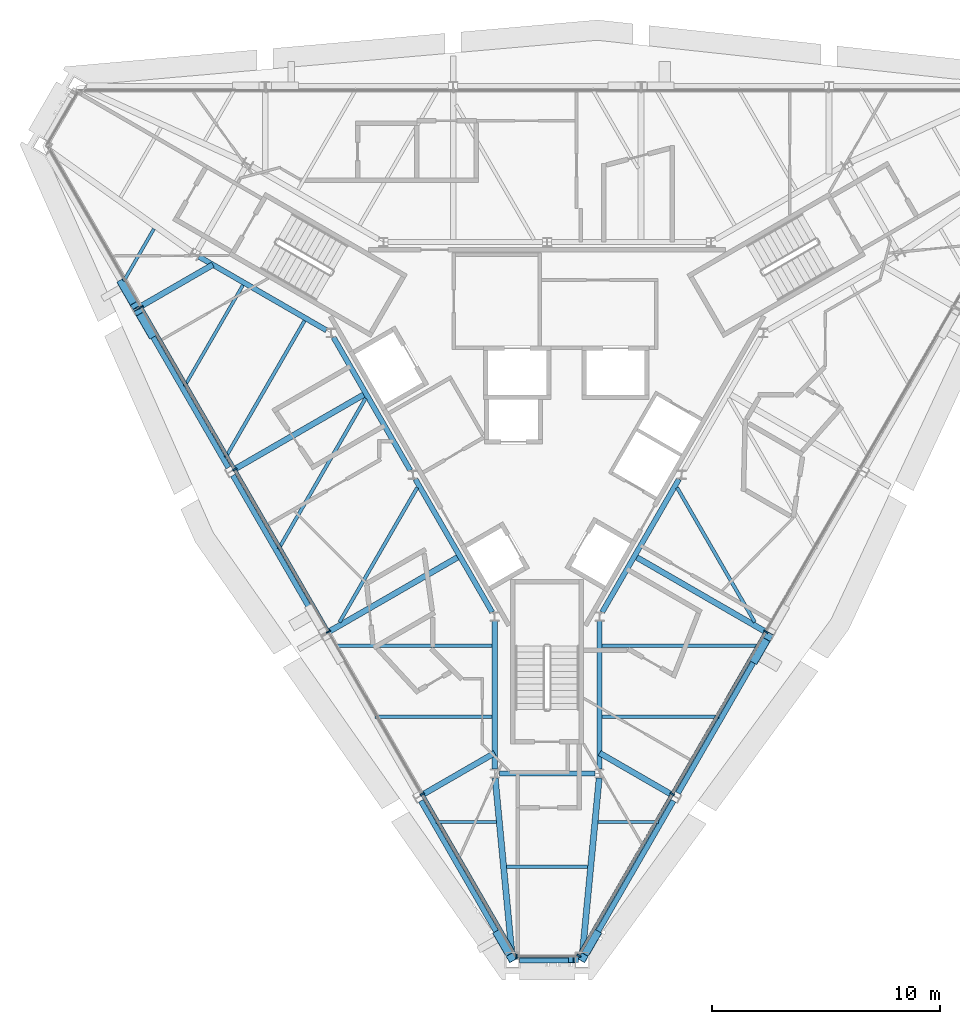
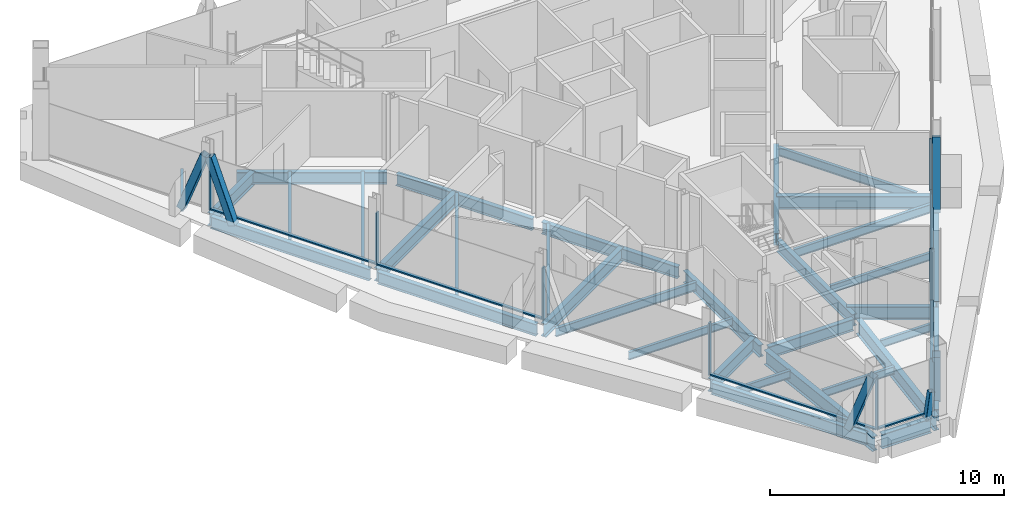
# One storey, part 3 of 13: 34 beams, 20 members, 3 elements without a shape of their own.
"""IFC4 building model written with IfcOpenShell, lengths in metres."""

from ifc_helpers import new_model, si_unit, direction, frame, origin, origin_2d, place, context, subcontext, project, spatial, rectangle, hollow_rectangle, i_section, extrude, material, material_profile, profile_set, type_object, element, aggregate, save


model = new_model("IFC4")

# Units and contexts
model_context = context("Model", 3, precision=1e-05, world=origin(), true_north=direction((0.0, 1.0)))
body_context = subcontext(model_context, "Body", "Model", "MODEL_VIEW")
ifc_project = project(units=[si_unit("LENGTHUNIT", "METRE"), si_unit("AREAUNIT", "SQUARE_METRE"), si_unit("VOLUMEUNIT", "CUBIC_METRE"), si_unit("PLANEANGLEUNIT", "RADIAN"), si_unit("MASSUNIT", "GRAM", prefix="KILO")], contexts=[model_context])

# Site, building, storey
site_placement = place(None, origin())
site = spatial("IfcSite", under=ifc_project, at=site_placement, CompositionType="ELEMENT")
building_placement = place(site_placement, origin())
building = spatial("IfcBuilding", under=site, at=building_placement, Name="Verrane Prism Tower", CompositionType="ELEMENT")
storey_placement = place(building_placement, frame((0.0, 0.0, 282.5)))
storey = spatial("IfcBuildingStorey", under=building, at=storey_placement, Name="L71", CompositionType="ELEMENT", Elevation=282.5)

# Member
ifc_material_1 = material(Name="Steel A500 Grade C", Category="steel")
ifc_material_profile_1 = material_profile(ifc_material_1, hollow_rectangle(XDim=0.25390625, YDim=0.25390625, WallThickness=0.009521484375, InnerFilletRadius=0.0048828125, OuterFilletRadius=0.014404296875, at=origin_2d()), Name="HSS10x10x3/8")
ifc_profile_set_1 = profile_set([ifc_material_profile_1], Name="Steel A500 Grade C")
member_type_1 = type_object("IfcMemberType", Name="Chamfer brace HSS10x10x3/8", PredefinedType="BRACE", material=ifc_profile_set_1)
member_1_placement = place(storey_placement, frame((1.053955078125, -24.669921875, -0.24267578125), z_axis=(0.135603015448, 0.0, 0.990763252347), x_axis=(0.0, 1.0, 0.0)))
element("IfcMember", 1, at=member_1_placement, inside=storey, type_object=member_type_1, Name="Chamfer brace S0 L71", PredefinedType="BRACE", context=body_context, shape_type="SweptSolid", body=[
    extrude(hollow_rectangle(XDim=0.25390625, YDim=0.25390625, WallThickness=0.009521484375, InnerFilletRadius=0.0048828125, OuterFilletRadius=0.014404296875, at=origin_2d()), origin(), (0.0, 0.0, 1.0), 1.44580078125),
])

# Beams
ifc_material_2 = material(Name="Steel A992", Category="steel")
ifc_material_profile_2 = material_profile(ifc_material_2, i_section(OverallWidth=0.2666015625, OverallDepth=0.7568359375, WebThickness=0.013916015625, FlangeThickness=0.019287109375, FilletRadius=0.0166015625, at=origin_2d()), Name="W30x108")
ifc_profile_set_2 = profile_set([ifc_material_profile_2], Name="Steel A992")
beam_type_1 = type_object("IfcBeamType", Name="Chamfer spandrel beam W30x108", PredefinedType="SPANDREL", material=ifc_profile_set_2)
beam_1_placement = place(storey_placement, frame((-1.219970703125, -24.669921875, -0.53857421875), z_axis=(1.0, 0.0, 0.0), x_axis=(0.0, 1.0, 0.0)))
element("IfcBeam", 2, at=beam_1_placement, inside=storey, type_object=beam_type_1, Name="Chamfer spandrel beam L71", PredefinedType="SPANDREL", context=body_context, shape_type="SweptSolid", body=[
    extrude(i_section(OverallWidth=0.2666015625, OverallDepth=0.7568359375, WebThickness=0.013916015625, FlangeThickness=0.019287109375, FilletRadius=0.0166015625, at=origin_2d()), origin(), (0.0, 0.0, 1.0), 2.43994140625),
])
ifc_material_3 = material(Name="Steel A992", Category="steel")
ifc_material_profile_3 = material_profile(ifc_material_3, i_section(OverallWidth=0.23046875, OverallDepth=0.6171875, WebThickness=0.01318359375, FlangeThickness=0.022216796875, FilletRadius=0.012939453125, at=origin_2d()), Name="W24x94")
ifc_profile_set_3 = profile_set([ifc_material_profile_3], Name="Steel A992")
beam_type_2 = type_object("IfcBeamType", Name="Core ring girder W24x94", PredefinedType="BEAM", material=ifc_profile_set_3)
beam_2_placement = place(storey_placement, frame((-15.267333984375, 6.160400390625, -0.55859375), z_axis=(0.866080992722, -0.499903704773, 0.0), x_axis=(0.499903704773, 0.866080992722, 0.0)))
element("IfcBeam", 3, at=beam_2_placement, inside=storey, type_object=beam_type_2, Name="Core ring girder L71", PredefinedType="BEAM", context=body_context, shape_type="SweptSolid", body=[
    extrude(i_section(OverallWidth=0.23046875, OverallDepth=0.6171875, WebThickness=0.01318359375, FlangeThickness=0.022216796875, FilletRadius=0.012939453125, at=origin_2d()), origin(), (0.0, 0.0, 1.0), 6.451904296875),
])
for number, where, z_axis, x_axis, name in (
    (4, (-9.36865234375, 2.626953125, -0.55859375), (0.499881421193, -0.866093854468, 0.0), (0.866093854468, 0.499881421193, 0.0), "Core ring girder L71"),
    (5, (-5.778564453125, -3.593017578125, -0.55859375), (0.499881421193, -0.866093854468, 0.0), (0.866093854468, 0.499881421193, 0.0), "Core ring girder L71"),
):
    element("IfcBeam", number, at=place(storey_placement, frame(where, z_axis=z_axis, x_axis=x_axis)), inside=storey, type_object=beam_type_2, Name=name, PredefinedType="BEAM", context=body_context, shape_type="SweptSolid", body=[
        extrude(i_section(OverallWidth=0.23046875, OverallDepth=0.6171875, WebThickness=0.01318359375, FlangeThickness=0.022216796875, FilletRadius=0.012939453125, at=origin_2d()), origin(), (0.0, 0.0, 1.0), 6.736083984375),
    ])
beam_3_placement = place(storey_placement, frame((-2.300048828125, -9.81298828125, -0.55859375), z_axis=(0.0, -1.0, 0.0), x_axis=(1.0, 0.0, 0.0)))
element("IfcBeam", 6, at=beam_3_placement, inside=storey, type_object=beam_type_2, Name="Core ring girder L71", PredefinedType="BEAM", context=body_context, shape_type="SweptSolid", body=[
    extrude(i_section(OverallWidth=0.23046875, OverallDepth=0.6171875, WebThickness=0.01318359375, FlangeThickness=0.022216796875, FilletRadius=0.012939453125, at=origin_2d()), origin(), (0.0, 0.0, 1.0), 6.487548828125),
])
beam_4_placement = place(storey_placement, frame((-2.099365234375, -16.5, -0.55859375), z_axis=(1.0, 0.0, 0.0), x_axis=(0.0, 1.0, 0.0)))
element("IfcBeam", 7, at=beam_4_placement, inside=storey, type_object=beam_type_2, Name="Core ring girder L71", PredefinedType="BEAM", context=body_context, shape_type="SweptSolid", body=[
    extrude(i_section(OverallWidth=0.23046875, OverallDepth=0.6171875, WebThickness=0.01318359375, FlangeThickness=0.022216796875, FilletRadius=0.012939453125, at=origin_2d()), origin(), (0.0, 0.0, 1.0), 4.19873046875),
])
beam_5_placement = place(storey_placement, frame((2.300048828125, -16.300537109375, -0.55859375), z_axis=(0.0, 1.0, 0.0), x_axis=(-1.0, 0.0, 0.0)))
element("IfcBeam", 8, at=beam_5_placement, inside=storey, type_object=beam_type_2, Name="Core ring girder L71", PredefinedType="BEAM", context=body_context, shape_type="SweptSolid", body=[
    extrude(i_section(OverallWidth=0.23046875, OverallDepth=0.6171875, WebThickness=0.01318359375, FlangeThickness=0.022216796875, FilletRadius=0.012939453125, at=origin_2d()), origin(), (0.0, 0.0, 1.0), 6.487548828125),
])
beam_6_placement = place(storey_placement, frame((2.411376953125, -9.427001953125, -0.55859375), z_axis=(0.499881421193, 0.866093854468, 0.0), x_axis=(-0.866093854468, 0.499881421193, 0.0)))
element("IfcBeam", 9, at=beam_6_placement, inside=storey, type_object=beam_type_2, Name="Core ring girder L71", PredefinedType="BEAM", context=body_context, shape_type="SweptSolid", body=[
    extrude(i_section(OverallWidth=0.23046875, OverallDepth=0.6171875, WebThickness=0.01318359375, FlangeThickness=0.022216796875, FilletRadius=0.012939453125, at=origin_2d()), origin(), (0.0, 0.0, 1.0), 6.736083984375),
])
ifc_material_4 = material(Name="Steel A992", Category="steel")
ifc_material_profile_4 = material_profile(ifc_material_4, i_section(OverallWidth=0.2666015625, OverallDepth=0.7568359375, WebThickness=0.013916015625, FlangeThickness=0.019287109375, FilletRadius=0.0166015625, at=origin_2d()), Name="W30x108")
ifc_profile_set_4 = profile_set([ifc_material_profile_4], Name="Steel A992")
beam_type_3 = type_object("IfcBeamType", Name="Corner girder W30x108", PredefinedType="BEAM", material=ifc_profile_set_4)
for number, where, z_axis, x_axis, name in (
    (10, (-1.520263671875, -24.667236328125, -0.598388671875), (-0.095045157177, 0.995472962012, 0.0), (-0.995472962012, -0.095045157177, 0.0), "Corner girder L71"),
    (11, (1.520263671875, -24.667236328125, -0.598388671875), (0.095045157177, 0.995472962012, 0.0), (-0.995472962012, 0.095045157177, 0.0), "Corner girder L71"),
):
    element("IfcBeam", number, at=place(storey_placement, frame(where, z_axis=z_axis, x_axis=x_axis)), inside=storey, type_object=beam_type_3, Name=name, PredefinedType="BEAM", context=body_context, shape_type="SweptSolid", body=[
        extrude(i_section(OverallWidth=0.2666015625, OverallDepth=0.7568359375, WebThickness=0.013916015625, FlangeThickness=0.019287109375, FilletRadius=0.0166015625, at=origin_2d()), origin(), (0.0, 0.0, 1.0), 8.00390625),
    ])

# Members
ifc_material_5 = material(Name="Steel A500 Grade C", Category="steel")
ifc_material_profile_5 = material_profile(ifc_material_5, hollow_rectangle(XDim=0.355712890625, YDim=0.355712890625, WallThickness=0.0126953125, InnerFilletRadius=0.00634765625, OuterFilletRadius=0.01904296875, at=origin_2d()), Name="HSS14x14x1/2")
ifc_profile_set_5 = profile_set([ifc_material_profile_5], Name="Steel A500 Grade C")
member_type_2 = type_object("IfcMemberType", Name="Facade brace HSS14x14x1/2", PredefinedType="BRACE", material=ifc_profile_set_5)
for number, where, z_axis, x_axis, name in (
    (12, (-18.639892578125, 4.989013671875, -0.216796875), (0.173942412768, -0.301475973027, 0.937473346142), (0.866168216079, 0.499752560229, 0.0), "Facade brace SW0 L71"),
    (13, (-17.360107421875, 2.77099609375, -0.216796875), (-0.173942412768, 0.301475973027, 0.937473346142), (-0.866168216079, -0.499752560229, 0.0), "Facade brace SW1 L71"),
    (14, (-2.159912109375, -23.56103515625, -0.216796875), (0.173942412768, -0.301475973027, 0.937473346142), (0.866168216079, 0.499752560229, 0.0), "Facade brace SW4 L71"),
    (15, (2.159912109375, -23.56103515625, -0.216796875), (-0.173942412768, -0.301475973027, 0.937473346142), (0.866168216079, -0.499752560229, 0.0), "Facade brace SE0 L71"),
    (16, (9.1201171875, -11.4990234375, -0.216796875), (0.173942412768, 0.301475973027, 0.937473346142), (-0.866168216079, 0.499752560229, 0.0), "Facade brace SE1 L71"),
):
    element("IfcMember", number, at=place(storey_placement, frame(where, z_axis=z_axis, x_axis=x_axis)), inside=storey, type_object=member_type_2, Name=name, PredefinedType="BRACE", context=body_context, shape_type="SweptSolid", body=[
        extrude(hollow_rectangle(XDim=0.355712890625, YDim=0.355712890625, WallThickness=0.0126953125, InnerFilletRadius=0.00634765625, OuterFilletRadius=0.01904296875, at=origin_2d()), origin(), (0.0, 0.0, 1.0), 3.361572265625),
    ])

# Beams
ifc_material_6 = material(Name="Steel A992", Category="steel")
ifc_material_profile_6 = material_profile(ifc_material_6, i_section(OverallWidth=0.140380859375, OverallDepth=0.40380859375, WebThickness=0.007080078125, FlangeThickness=0.01123046875, FilletRadius=0.01025390625, at=origin_2d()), Name="W16x31")
ifc_profile_set_6 = profile_set([ifc_material_profile_6], Name="Steel A992")
beam_type_4 = type_object("IfcBeamType", Name="Floor beam W16x31", PredefinedType="BEAM", material=ifc_profile_set_6)
beam_7_placement = place(storey_placement, frame((-18.565185546875, 5.089599609375, -0.36181640625), z_axis=(0.49994082229, 0.866059567356, 0.0), x_axis=(-0.866059567356, 0.49994082229, 0.0)))
element("IfcBeam", 17, at=beam_7_placement, inside=storey, type_object=beam_type_4, Name="Floor beam L71", PredefinedType="BEAM", context=body_context, shape_type="SweptSolid", body=[
    extrude(i_section(OverallWidth=0.140380859375, OverallDepth=0.40380859375, WebThickness=0.007080078125, FlangeThickness=0.01123046875, FilletRadius=0.01025390625, at=origin_2d()), origin(), (0.0, 0.0, 1.0), 2.645263671875),
])
beam_8_placement = place(storey_placement, frame((-15.902099609375, 0.474609375, -0.36181640625), z_axis=(0.500011000363, 0.866019052629, 0.0), x_axis=(-0.866019052629, 0.500011000363, 0.0)))
element("IfcBeam", 18, at=beam_8_placement, inside=storey, type_object=beam_type_4, Name="Floor beam L71", PredefinedType="BEAM", context=body_context, shape_type="SweptSolid", body=[
    extrude(i_section(OverallWidth=0.140380859375, OverallDepth=0.40380859375, WebThickness=0.007080078125, FlangeThickness=0.01123046875, FilletRadius=0.01025390625, at=origin_2d()), origin(), (0.0, 0.0, 1.0), 5.126953125),
])
beam_9_placement = place(storey_placement, frame((-7.538330078125, -14.010009765625, -0.36181640625), z_axis=(1.0, 0.0, 0.0), x_axis=(0.0, 1.0, 0.0)))
element("IfcBeam", 19, at=beam_9_placement, inside=storey, type_object=beam_type_4, Name="Floor beam L71", PredefinedType="BEAM", context=body_context, shape_type="SweptSolid", body=[
    extrude(i_section(OverallWidth=0.140380859375, OverallDepth=0.40380859375, WebThickness=0.007080078125, FlangeThickness=0.01123046875, FilletRadius=0.01025390625, at=origin_2d()), origin(), (0.0, 0.0, 1.0), 5.123291015625),
])
for number, where, z_axis, x_axis, name in (
    (20, (-4.876220703125, -18.623291015625, -0.36181640625), (1.0, 0.0, 0.0), (0.0, 1.0, 0.0), "Floor beam L71"),
    (21, (2.2314453125, -18.623291015625, -0.36181640625), (1.0, 0.0, 0.0), (0.0, 1.0, 0.0), "Floor beam L71"),
):
    element("IfcBeam", number, at=place(storey_placement, frame(where, z_axis=z_axis, x_axis=x_axis)), inside=storey, type_object=beam_type_4, Name=name, PredefinedType="BEAM", context=body_context, shape_type="SweptSolid", body=[
        extrude(i_section(OverallWidth=0.140380859375, OverallDepth=0.40380859375, WebThickness=0.007080078125, FlangeThickness=0.01123046875, FilletRadius=0.01025390625, at=origin_2d()), origin(), (0.0, 0.0, 1.0), 2.644775390625),
    ])
beam_10_placement = place(storey_placement, frame((2.4150390625, -14.010009765625, -0.36181640625), z_axis=(1.0, 0.0, 0.0), x_axis=(0.0, 1.0, 0.0)))
element("IfcBeam", 22, at=beam_10_placement, inside=storey, type_object=beam_type_4, Name="Floor beam L71", PredefinedType="BEAM", context=body_context, shape_type="SweptSolid", body=[
    extrude(i_section(OverallWidth=0.140380859375, OverallDepth=0.40380859375, WebThickness=0.007080078125, FlangeThickness=0.01123046875, FilletRadius=0.01025390625, at=origin_2d()), origin(), (0.0, 0.0, 1.0), 5.123291015625),
])
beam_11_placement = place(storey_placement, frame((-1.77587890625, -20.5849609375, -0.36181640625), z_axis=(1.0, 0.0, 0.0), x_axis=(0.0, 1.0, 0.0)))
element("IfcBeam", 23, at=beam_11_placement, inside=storey, type_object=beam_type_4, Name="Floor beam L71", PredefinedType="BEAM", context=body_context, shape_type="SweptSolid", body=[
    extrude(i_section(OverallWidth=0.140380859375, OverallDepth=0.40380859375, WebThickness=0.007080078125, FlangeThickness=0.01123046875, FilletRadius=0.01025390625, at=origin_2d()), origin(), (0.0, 0.0, 1.0), 3.5517578125),
])
ifc_material_7 = material(Name="Steel A992", Category="steel")
ifc_material_profile_7 = material_profile(ifc_material_7, i_section(OverallWidth=0.15234375, OverallDepth=0.449462890625, WebThickness=0.007568359375, FlangeThickness=0.0107421875, FilletRadius=0.01025390625, at=origin_2d()), Name="W18x35")
ifc_profile_set_7 = profile_set([ifc_material_profile_7], Name="Steel A992")
beam_type_5 = type_object("IfcBeamType", Name="Floor beam W18x35", PredefinedType="BEAM", material=ifc_profile_set_7)
beam_12_placement = place(storey_placement, frame((-14.1015625, -2.64599609375, -0.384765625), z_axis=(0.49999287541, 0.866029517129, 0.0), x_axis=(-0.866029517129, 0.49999287541, 0.0)))
element("IfcBeam", 24, at=beam_12_placement, inside=storey, type_object=beam_type_5, Name="Floor beam L71", PredefinedType="BEAM", context=body_context, shape_type="SweptSolid", body=[
    extrude(i_section(OverallWidth=0.15234375, OverallDepth=0.449462890625, WebThickness=0.007568359375, FlangeThickness=0.0107421875, FilletRadius=0.01025390625, at=origin_2d()), origin(), (0.0, 0.0, 1.0), 6.92919921875),
])
beam_13_placement = place(storey_placement, frame((-9.103271484375, -9.864501953125, -0.384765625), z_axis=(0.49999337185, 0.866029230515, 0.0), x_axis=(-0.866029230515, 0.49999337185, 0.0)))
element("IfcBeam", 25, at=beam_13_placement, inside=storey, type_object=beam_type_5, Name="Floor beam L71", PredefinedType="BEAM", context=body_context, shape_type="SweptSolid", body=[
    extrude(i_section(OverallWidth=0.15234375, OverallDepth=0.449462890625, WebThickness=0.007568359375, FlangeThickness=0.0107421875, FilletRadius=0.01025390625, at=origin_2d()), origin(), (0.0, 0.0, 1.0), 6.8125),
])
beam_14_placement = place(storey_placement, frame((-11.78076171875, -6.6630859375, -0.384765625), z_axis=(0.499997113229, 0.866027070456, 0.0), x_axis=(-0.866027070456, 0.499997113229, 0.0)))
element("IfcBeam", 26, at=beam_14_placement, inside=storey, type_object=beam_type_5, Name="Floor beam L71", PredefinedType="BEAM", context=body_context, shape_type="SweptSolid", body=[
    extrude(i_section(OverallWidth=0.15234375, OverallDepth=0.449462890625, WebThickness=0.007568359375, FlangeThickness=0.0107421875, FilletRadius=0.01025390625, at=origin_2d()), origin(), (0.0, 0.0, 1.0), 7.64306640625),
])
for number, where, z_axis, x_axis, name in (
    (27, (-9.338623046875, -10.889892578125, -0.384765625), (1.0, 0.0, 0.0), (0.0, 1.0, 0.0), "Floor beam L71"),
    (28, (2.4150390625, -10.889892578125, -0.384765625), (1.0, 0.0, 0.0), (0.0, 1.0, 0.0), "Floor beam L71"),
):
    element("IfcBeam", number, at=place(storey_placement, frame(where, z_axis=z_axis, x_axis=x_axis)), inside=storey, type_object=beam_type_5, Name=name, PredefinedType="BEAM", context=body_context, shape_type="SweptSolid", body=[
        extrude(i_section(OverallWidth=0.15234375, OverallDepth=0.449462890625, WebThickness=0.007568359375, FlangeThickness=0.0107421875, FilletRadius=0.01025390625, at=origin_2d()), origin(), (0.0, 0.0, 1.0), 6.923583984375),
    ])
beam_15_placement = place(storey_placement, frame((9.103271484375, -9.864501953125, -0.384765625), z_axis=(-0.49999337185, 0.866029230515, 0.0), x_axis=(-0.866029230515, -0.49999337185, 0.0)))
element("IfcBeam", 29, at=beam_15_placement, inside=storey, type_object=beam_type_5, Name="Floor beam L71", PredefinedType="BEAM", context=body_context, shape_type="SweptSolid", body=[
    extrude(i_section(OverallWidth=0.15234375, OverallDepth=0.449462890625, WebThickness=0.007568359375, FlangeThickness=0.0107421875, FilletRadius=0.01025390625, at=origin_2d()), origin(), (0.0, 0.0, 1.0), 6.8125),
])

# Curtain wall, members
ifc_material_8 = material(Name="Aluminium framed insulated glazing", Category="aluminium")
curtain_wall_type = type_object("IfcCurtainWallType", Name="Curtain wall CW-A 8400 module", PredefinedType="NOTDEFINED", material=ifc_material_8)
curtain_wall_1_placement = place(storey_placement, origin())
curtain_wall_1 = element("IfcCurtainWall", 30, at=curtain_wall_1_placement, inside=storey, type_object=curtain_wall_type, Name="Glazed curtain wall south-west face L71", PredefinedType="NOTDEFINED")
ifc_material_9 = material(Name="Aluminium alloy 6063-T6", Category="aluminium")
ifc_material_profile_8 = material_profile(ifc_material_9, rectangle(XDim=0.199951171875, YDim=0.070068359375, at=origin_2d()), Name="Mullion 70x200 aluminium")
ifc_profile_set_8 = profile_set([ifc_material_profile_8], Name="Aluminium alloy 6063-T6")
member_type_3 = type_object("IfcMemberType", Name="Mullion 70x200 aluminium", PredefinedType="MULLION", material=ifc_profile_set_8)
member_2_placement = place(storey_placement, frame((-17.8095703125, 3.952392578125, 0.0), z_axis=(0.0, 0.0, 1.0), x_axis=(0.866024861728, 0.500000938868, 0.0)))
member_2 = element("IfcMember", 31, at=member_2_placement, type_object=member_type_3, Name="CW69.4 mullion 2", PredefinedType="MULLION", context=body_context, shape_type="SweptSolid", body=[
    extrude(rectangle(XDim=0.199951171875, YDim=0.070068359375, at=origin_2d()), origin(), (0.0, 0.0, 1.0), 2.72314453125),
])
member_3_placement = place(storey_placement, frame((-13.7001953125, -3.1650390625, 0.0), z_axis=(0.0, 0.0, 1.0), x_axis=(0.866024861728, 0.500000938868, 0.0)))
member_3 = element("IfcMember", 32, at=member_3_placement, type_object=member_type_3, Name="CW69.4 mullion 3", PredefinedType="MULLION", context=body_context, shape_type="SweptSolid", body=[
    extrude(rectangle(XDim=0.199951171875, YDim=0.070068359375, at=origin_2d()), origin(), (0.0, 0.0, 1.0), 2.72314453125),
])
member_4_placement = place(storey_placement, frame((-9.591064453125, -10.2822265625, 0.0), z_axis=(0.0, 0.0, 1.0), x_axis=(0.866024861728, 0.500000938868, 0.0)))
member_4 = element("IfcMember", 33, at=member_4_placement, type_object=member_type_3, Name="CW69.4 mullion 4", PredefinedType="MULLION", context=body_context, shape_type="SweptSolid", body=[
    extrude(rectangle(XDim=0.199951171875, YDim=0.070068359375, at=origin_2d()), origin(), (0.0, 0.0, 1.0), 2.72314453125),
])
member_5_placement = place(storey_placement, frame((-5.48193359375, -17.399658203125, 0.0), z_axis=(0.0, 0.0, 1.0), x_axis=(0.866024861728, 0.500000938868, 0.0)))
member_5 = element("IfcMember", 34, at=member_5_placement, type_object=member_type_3, Name="CW69.4 mullion 5", PredefinedType="MULLION", context=body_context, shape_type="SweptSolid", body=[
    extrude(rectangle(XDim=0.199951171875, YDim=0.070068359375, at=origin_2d()), origin(), (0.0, 0.0, 1.0), 2.72314453125),
])

# Curtain wall, member
curtain_wall_2_placement = place(storey_placement, origin())
curtain_wall_2 = element("IfcCurtainWall", 35, at=curtain_wall_2_placement, inside=storey, type_object=curtain_wall_type, Name="Glazed curtain wall south corner L71", PredefinedType="NOTDEFINED")
member_6_placement = place(storey_placement, frame((-1.337646484375, -24.51708984375, 0.0), z_axis=(0.0, 0.0, 1.0), x_axis=(0.0, 1.0, 0.0)))
member_6 = element("IfcMember", 36, at=member_6_placement, type_object=member_type_3, Name="CW69.5 mullion 1", PredefinedType="MULLION", context=body_context, shape_type="SweptSolid", body=[
    extrude(rectangle(XDim=0.199951171875, YDim=0.070068359375, at=origin_2d()), origin(), (0.0, 0.0, 1.0), 2.72314453125),
])

# Curtain wall, members
curtain_wall_3_placement = place(storey_placement, origin())
curtain_wall_3 = element("IfcCurtainWall", 37, at=curtain_wall_3_placement, inside=storey, type_object=curtain_wall_type, Name="Glazed curtain wall south-east face L71", PredefinedType="NOTDEFINED")
member_7_placement = place(storey_placement, frame((1.39013671875, -24.486572265625, 0.0), z_axis=(0.0, 0.0, 1.0), x_axis=(-0.866024861728, 0.500000938868, 0.0)))
member_7 = element("IfcMember", 38, at=member_7_placement, type_object=member_type_3, Name="CW69.6 mullion 1", PredefinedType="MULLION", context=body_context, shape_type="SweptSolid", body=[
    extrude(rectangle(XDim=0.199951171875, YDim=0.070068359375, at=origin_2d()), origin(), (0.0, 0.0, 1.0), 2.72314453125),
])
member_8_placement = place(storey_placement, frame((5.48193359375, -17.399658203125, 0.0), z_axis=(0.0, 0.0, 1.0), x_axis=(-0.866024861728, 0.500000938868, 0.0)))
member_8 = element("IfcMember", 39, at=member_8_placement, type_object=member_type_3, Name="CW69.6 mullion 2", PredefinedType="MULLION", context=body_context, shape_type="SweptSolid", body=[
    extrude(rectangle(XDim=0.199951171875, YDim=0.070068359375, at=origin_2d()), origin(), (0.0, 0.0, 1.0), 2.72314453125),
])
member_9_placement = place(storey_placement, frame((9.591064453125, -10.2822265625, 0.0), z_axis=(0.0, 0.0, 1.0), x_axis=(-0.866024861728, 0.500000938868, 0.0)))
member_9 = element("IfcMember", 40, at=member_9_placement, type_object=member_type_3, Name="CW69.6 mullion 3", PredefinedType="MULLION", context=body_context, shape_type="SweptSolid", body=[
    extrude(rectangle(XDim=0.199951171875, YDim=0.070068359375, at=origin_2d()), origin(), (0.0, 0.0, 1.0), 2.72314453125),
])

# Beams
ifc_material_10 = material(Name="Steel A992", Category="steel")
ifc_material_profile_9 = material_profile(ifc_material_10, i_section(OverallWidth=0.25390625, OverallDepth=0.683349609375, WebThickness=0.012451171875, FlangeThickness=0.01904296875, FilletRadius=0.01513671875, at=origin_2d()), Name="W27x94")
ifc_profile_set_9 = profile_set([ifc_material_profile_9], Name="Steel A992")
beam_type_6 = type_object("IfcBeamType", Name="Radial girder W27x94", PredefinedType="BEAM", material=ifc_profile_set_9)
beam_16_placement = place(storey_placement, frame((-17.837158203125, 3.97412109375, -0.5615234375), z_axis=(0.866040472627, 0.499973899091, 0.0), x_axis=(-0.499973899091, 0.866040472627, 0.0)))
element("IfcBeam", 41, at=beam_16_placement, inside=storey, type_object=beam_type_6, Name="Radial girder L71", PredefinedType="BEAM", context=body_context, shape_type="SweptSolid", body=[
    extrude(i_section(OverallWidth=0.25390625, OverallDepth=0.683349609375, WebThickness=0.012451171875, FlangeThickness=0.01904296875, FilletRadius=0.01513671875, at=origin_2d()), origin(), (0.0, 0.0, 1.0), 3.670166015625),
])
beam_17_placement = place(storey_placement, frame((-13.71728515625, -3.166015625, -0.5615234375), z_axis=(0.866033637652, 0.499985738252, 0.0), x_axis=(-0.499985738252, 0.866033637652, 0.0)))
element("IfcBeam", 42, at=beam_17_placement, inside=storey, type_object=beam_type_6, Name="Radial girder L71", PredefinedType="BEAM", context=body_context, shape_type="SweptSolid", body=[
    extrude(i_section(OverallWidth=0.25390625, OverallDepth=0.683349609375, WebThickness=0.012451171875, FlangeThickness=0.01904296875, FilletRadius=0.01513671875, at=origin_2d()), origin(), (0.0, 0.0, 1.0), 6.662353515625),
])
beam_18_placement = place(storey_placement, frame((-9.59716796875, -10.2958984375, -0.5615234375), z_axis=(0.866029870483, 0.499992263371, 0.0), x_axis=(-0.499992263371, 0.866029870483, 0.0)))
element("IfcBeam", 43, at=beam_18_placement, inside=storey, type_object=beam_type_6, Name="Radial girder L71", PredefinedType="BEAM", context=body_context, shape_type="SweptSolid", body=[
    extrude(i_section(OverallWidth=0.25390625, OverallDepth=0.683349609375, WebThickness=0.012451171875, FlangeThickness=0.01904296875, FilletRadius=0.01513671875, at=origin_2d()), origin(), (0.0, 0.0, 1.0), 6.65771484375),
])
for number, where, z_axis, x_axis, name in (
    (44, (-5.477294921875, -17.43603515625, -0.5615234375), (0.866043741627, 0.499968236579, 0.0), (-0.499968236579, 0.866043741627, 0.0), "Radial girder L71"),
    (45, (5.477294921875, -17.43603515625, -0.5615234375), (-0.866043741627, 0.499968236579, 0.0), (-0.499968236579, -0.866043741627, 0.0), "Radial girder L71"),
):
    element("IfcBeam", number, at=place(storey_placement, frame(where, z_axis=z_axis, x_axis=x_axis)), inside=storey, type_object=beam_type_6, Name=name, PredefinedType="BEAM", context=body_context, shape_type="SweptSolid", body=[
        extrude(i_section(OverallWidth=0.25390625, OverallDepth=0.683349609375, WebThickness=0.012451171875, FlangeThickness=0.01904296875, FilletRadius=0.01513671875, at=origin_2d()), origin(), (0.0, 0.0, 1.0), 3.668701171875),
    ])
beam_19_placement = place(storey_placement, frame((9.59716796875, -10.2958984375, -0.5615234375), z_axis=(-0.866029870483, 0.499992263371, 0.0), x_axis=(-0.499992263371, -0.866029870483, 0.0)))
element("IfcBeam", 46, at=beam_19_placement, inside=storey, type_object=beam_type_6, Name="Radial girder L71", PredefinedType="BEAM", context=body_context, shape_type="SweptSolid", body=[
    extrude(i_section(OverallWidth=0.25390625, OverallDepth=0.683349609375, WebThickness=0.012451171875, FlangeThickness=0.01904296875, FilletRadius=0.01513671875, at=origin_2d()), origin(), (0.0, 0.0, 1.0), 6.65771484375),
])
ifc_material_11 = material(Name="Steel A992", Category="steel")
ifc_material_profile_10 = material_profile(ifc_material_11, i_section(OverallWidth=0.23046875, OverallDepth=0.6171875, WebThickness=0.01318359375, FlangeThickness=0.022216796875, FilletRadius=0.012939453125, at=origin_2d()), Name="W24x94")
ifc_profile_set_10 = profile_set([ifc_material_profile_10], Name="Steel A992")
beam_type_7 = type_object("IfcBeamType", Name="Spandrel beam W24x94", PredefinedType="SPANDREL", material=ifc_profile_set_10)
beam_20_placement = place(storey_placement, frame((-17.901611328125, 3.70947265625, -0.468505859375), z_axis=(0.499775405071, -0.866155034902, 0.0), x_axis=(0.866155034902, 0.499775405071, 0.0)))
element("IfcBeam", 47, at=beam_20_placement, inside=storey, type_object=beam_type_7, Name="Spandrel beam L71", PredefinedType="SPANDREL", context=body_context, shape_type="SweptSolid", body=[
    extrude(i_section(OverallWidth=0.23046875, OverallDepth=0.6171875, WebThickness=0.01318359375, FlangeThickness=0.022216796875, FilletRadius=0.012939453125, at=origin_2d()), origin(), (0.0, 0.0, 1.0), 7.849609375),
])
beam_21_placement = place(storey_placement, frame((-13.781494140625, -3.430419921875, -0.468505859375), z_axis=(0.500327915282, -0.865835999015, 0.0), x_axis=(0.865835999015, 0.500327915282, 0.0)))
element("IfcBeam", 48, at=beam_21_placement, inside=storey, type_object=beam_type_7, Name="Spandrel beam L71", PredefinedType="SPANDREL", context=body_context, shape_type="SweptSolid", body=[
    extrude(i_section(OverallWidth=0.23046875, OverallDepth=0.6171875, WebThickness=0.01318359375, FlangeThickness=0.022216796875, FilletRadius=0.012939453125, at=origin_2d()), origin(), (0.0, 0.0, 1.0), 7.841064453125),
])
for number, where, z_axis, x_axis, name in (
    (49, (-5.54150390625, -17.700439453125, -0.468505859375), (0.499777762154, -0.86615367485, 0.0), (0.86615367485, 0.499777762154, 0.0), "Spandrel beam L71"),
    (50, (1.721923828125, -24.320068359375, -0.468505859375), (0.499777762154, 0.86615367485, 0.0), (-0.86615367485, 0.499777762154, 0.0), "Spandrel beam L71"),
):
    element("IfcBeam", number, at=place(storey_placement, frame(where, z_axis=z_axis, x_axis=x_axis)), inside=storey, type_object=beam_type_7, Name=name, PredefinedType="SPANDREL", context=body_context, shape_type="SweptSolid", body=[
        extrude(i_section(OverallWidth=0.23046875, OverallDepth=0.6171875, WebThickness=0.01318359375, FlangeThickness=0.022216796875, FilletRadius=0.012939453125, at=origin_2d()), origin(), (0.0, 0.0, 1.0), 7.642578125),
    ])
beam_22_placement = place(storey_placement, frame((5.73828125, -17.359619140625, -0.468505859375), z_axis=(0.499798737888, 0.866141571341, 0.0), x_axis=(-0.866141571341, 0.499798737888, 0.0)))
element("IfcBeam", 51, at=beam_22_placement, inside=storey, type_object=beam_type_7, Name="Spandrel beam L71", PredefinedType="SPANDREL", context=body_context, shape_type="SweptSolid", body=[
    extrude(i_section(OverallWidth=0.23046875, OverallDepth=0.6171875, WebThickness=0.01318359375, FlangeThickness=0.022216796875, FilletRadius=0.012939453125, at=origin_2d()), origin(), (0.0, 0.0, 1.0), 7.849853515625),
])

# Member
ifc_material_12 = material(Name="Aluminium alloy 6063-T6", Category="aluminium")
ifc_material_profile_11 = material_profile(ifc_material_12, rectangle(XDim=0.14990234375, YDim=0.070068359375, at=origin_2d()), Name="Transom 70x150 aluminium")
ifc_profile_set_11 = profile_set([ifc_material_profile_11], Name="Aluminium alloy 6063-T6")
member_type_4 = type_object("IfcMemberType", Name="Transom 70x150 aluminium", PredefinedType="USERDEFINED", material=ifc_profile_set_11)
member_10_placement = place(storey_placement, frame((-17.7919921875, 3.922119140625, 0.034912109375), z_axis=(0.500006018292, -0.866021929094, 0.0), x_axis=(0.866021929094, 0.500006018292, 0.0)))
member_10 = element("IfcMember", 52, at=member_10_placement, type_object=member_type_4, Name="CW69.4 transom 2", ObjectType="TRANSOM", PredefinedType="USERDEFINED", context=body_context, shape_type="SweptSolid", body=[
    extrude(rectangle(XDim=0.14990234375, YDim=0.070068359375, at=origin_2d()), origin(), (0.0, 0.0, 1.0), 8.1484375),
])

member_11_placement = place(storey_placement, frame((-13.682861328125, -3.1953125, 0.034912109375), z_axis=(0.500006018292, -0.866021929094, 0.0), x_axis=(0.866021929094, 0.500006018292, 0.0)))
member_11 = element("IfcMember", 53, at=member_11_placement, type_object=member_type_4, Name="CW69.4 transom 3", ObjectType="TRANSOM", PredefinedType="USERDEFINED", context=body_context, shape_type="SweptSolid", body=[
    extrude(rectangle(XDim=0.14990234375, YDim=0.070068359375, at=origin_2d()), origin(), (0.0, 0.0, 1.0), 8.1484375),
])

member_12_placement = place(storey_placement, frame((-5.46435546875, -17.429931640625, 0.034912109375), z_axis=(0.500002215902, -0.866024124429, 0.0), x_axis=(0.866024124429, 0.500002215902, 0.0)))
member_12 = element("IfcMember", 54, at=member_12_placement, type_object=member_type_4, Name="CW69.4 transom 5", ObjectType="TRANSOM", PredefinedType="USERDEFINED", context=body_context, shape_type="SweptSolid", body=[
    extrude(rectangle(XDim=0.14990234375, YDim=0.070068359375, at=origin_2d()), origin(), (0.0, 0.0, 1.0), 8.18359375),
])

aggregate(curtain_wall_1, [member_2, member_3, member_4, member_5, member_10, member_11, member_12])

member_13_placement = place(storey_placement, frame((-1.302490234375, -24.51708984375, 0.034912109375), z_axis=(1.0, 0.0, 0.0), x_axis=(0.0, 1.0, 0.0)))
member_13 = element("IfcMember", 55, at=member_13_placement, type_object=member_type_4, Name="CW69.5 transom 1", ObjectType="TRANSOM", PredefinedType="USERDEFINED", context=body_context, shape_type="SweptSolid", body=[
    extrude(rectangle(XDim=0.14990234375, YDim=0.070068359375, at=origin_2d()), origin(), (0.0, 0.0, 1.0), 2.675048828125),
])

aggregate(curtain_wall_2, [member_6, member_13])

member_14_placement = place(storey_placement, frame((1.40771484375, -24.456298828125, 0.034912109375), z_axis=(0.499996823547, 0.866027237703, 0.0), x_axis=(-0.866027237703, 0.499996823547, 0.0)))
member_14 = element("IfcMember", 56, at=member_14_placement, type_object=member_type_4, Name="CW69.6 transom 1", ObjectType="TRANSOM", PredefinedType="USERDEFINED", context=body_context, shape_type="SweptSolid", body=[
    extrude(rectangle(XDim=0.14990234375, YDim=0.070068359375, at=origin_2d()), origin(), (0.0, 0.0, 1.0), 8.11328125),
])

member_15_placement = place(storey_placement, frame((5.499267578125, -17.369384765625, 0.034912109375), z_axis=(0.499993044538, 0.866029419485, 0.0), x_axis=(-0.866029419485, 0.499993044538, 0.0)))
member_15 = element("IfcMember", 57, at=member_15_placement, type_object=member_type_4, Name="CW69.6 transom 2", ObjectType="TRANSOM", PredefinedType="USERDEFINED", context=body_context, shape_type="SweptSolid", body=[
    extrude(rectangle(XDim=0.14990234375, YDim=0.070068359375, at=origin_2d()), origin(), (0.0, 0.0, 1.0), 8.1484375),
])

aggregate(curtain_wall_3, [member_7, member_8, member_9, member_14, member_15])

save(model, "model.ifc")
